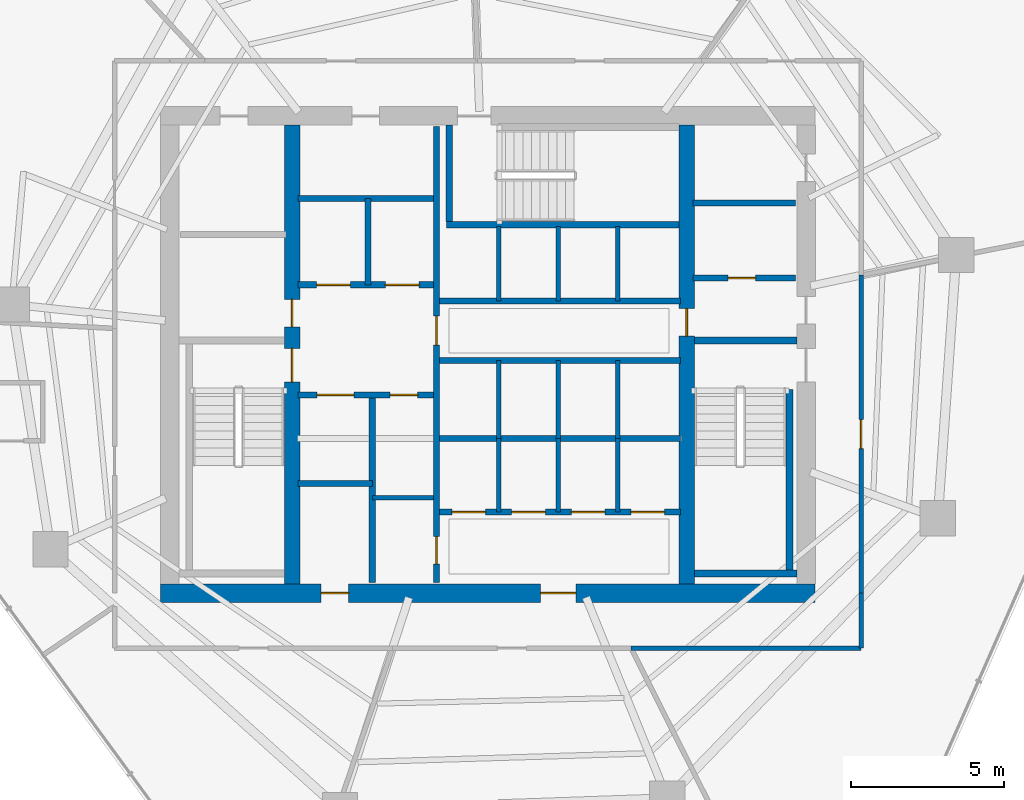
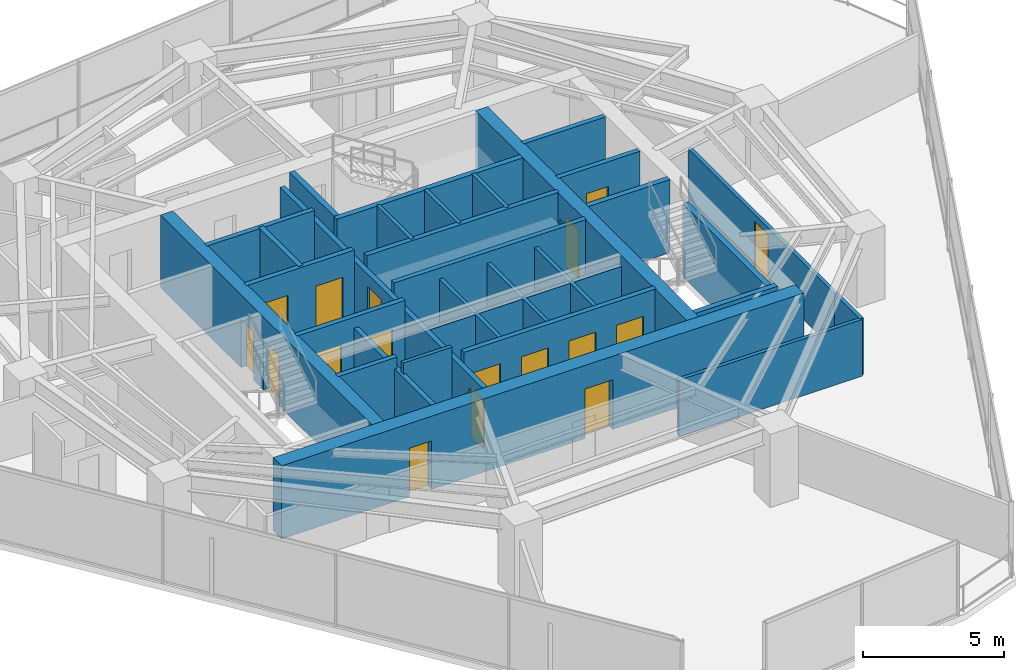
# One storey, part 25 of 30: 34 walls, 17 doors, 17 openings.
"""IFC4 building model written with IfcOpenShell, lengths in metres."""

from ifc_helpers import new_model, si_unit, direction, frame, frame_2d, origin, place, context, subcontext, project, spatial, rectangle, extrude, material, layer, layer_set, type_object, element, fill, save


model = new_model("IFC4")

# Units and contexts
model_context = context("Model", 3, precision=1e-05, world=origin(), true_north=direction((0.0, 1.0)))
body_context = subcontext(model_context, "Body", "Model", "MODEL_VIEW")
ifc_project = project(units=[si_unit("LENGTHUNIT", "METRE"), si_unit("AREAUNIT", "SQUARE_METRE"), si_unit("VOLUMEUNIT", "CUBIC_METRE"), si_unit("PLANEANGLEUNIT", "RADIAN"), si_unit("MASSUNIT", "GRAM", prefix="KILO")], contexts=[model_context])

# Site, building, storey
site_placement = place(None, origin())
site = spatial("IfcSite", under=ifc_project, at=site_placement, CompositionType="ELEMENT")
building_placement = place(site_placement, origin())
building = spatial("IfcBuilding", under=site, at=building_placement, Name="Qarnah Convention Tower", CompositionType="ELEMENT")
storey_placement = place(building_placement, frame((0.0, 0.0, 90.14990234375)))
storey = spatial("IfcBuildingStorey", under=building, at=storey_placement, Name="L23", CompositionType="ELEMENT", Elevation=90.14990234375)

# Wall, openings, doors
ifc_material_1 = material(Name="Concrete C60/75", Category="concrete")
ifc_layer_1 = layer(ifc_material_1, 0.60009765625)
ifc_layer_set_1 = layer_set([ifc_layer_1], Name="Concrete C60/75")
wall_type_1 = type_object("IfcWallType", Name="WL-CORE-600", PredefinedType="SHEAR", material=ifc_layer_set_1)
wall_1_placement = place(storey_placement, frame((26.5, 18.60009765625, 0.0), z_axis=(0.0, 0.0, 1.0), x_axis=(1.0, 0.0, 0.0)))
wall_1 = element("IfcWall", 1, at=wall_1_placement, inside=storey, type_object=wall_type_1, Name="L23 core south shear wall", PredefinedType="SHEAR", context=body_context, shape_type="SweptSolid", body=[
    extrude(rectangle(XDim=21.39990234375, YDim=0.60009765625, at=frame_2d((10.699951171875, 0.0))), origin(), (0.0, 0.0, 1.0), 3.170166015625),
])
opening_1_placement = place(wall_1_placement, frame((12.425048828125, 0.0, 0.0)))
opening_1 = element("IfcOpeningElement", 2, at=opening_1_placement, cuts=wall_1, Name="Opening D-2307", PredefinedType="OPENING", context=body_context, shape_type="SweptSolid", body=[
    extrude(rectangle(XDim=1.14990234375, YDim=2.14990234375, at=frame_2d((0.574951171875, 1.074951171875))), frame((0.0, 0.31005859375, 0.0), z_axis=(0.0, -1.0, 0.0), x_axis=(1.0, 0.0, 0.0)), (0.0, 0.0, 1.0), 0.6201171875),
])
opening_2_placement = place(wall_1_placement, frame((5.25, 0.0, 0.0)))
opening_2 = element("IfcOpeningElement", 3, at=opening_2_placement, cuts=wall_1, Name="Opening D-2313", PredefinedType="OPENING", context=body_context, shape_type="SweptSolid", body=[
    extrude(rectangle(XDim=0.89990234375, YDim=2.10009765625, at=frame_2d((0.449951171875, 1.050048828125))), frame((0.0, 0.31005859375, 0.0), z_axis=(0.0, -1.0, 0.0), x_axis=(1.0, 0.0, 0.0)), (0.0, 0.0, 1.0), 0.6201171875),
])
ifc_material_2 = material(Name="Structural steel S355JR", Category="steel")
door_type_1 = type_object("IfcDoorType", Name="DT-LOBBY-1150", OperationType="NOTDEFINED", PredefinedType="DOOR", material=ifc_material_2)
door_1_placement = place(opening_1_placement, origin())
door_1 = element("IfcDoor", 4, at=door_1_placement, inside=storey, type_object=door_type_1, Name="Door D-2307", OperationType="SINGLE_SWING_LEFT", OverallHeight=2.14990234375, OverallWidth=1.14990234375, PredefinedType="DOOR", context=body_context, shape_type="SweptSolid", body=[
    extrude(rectangle(XDim=1.14990234375, YDim=2.14990234375, at=frame_2d((0.574951171875, 1.074951171875))), frame((0.0, 0.02490234375, 0.0), z_axis=(0.0, -1.0, 0.0), x_axis=(1.0, 0.0, 0.0)), (0.0, 0.0, 1.0), 0.050048828125),
])
fill(opening_1, door_1)
door_type_2 = type_object("IfcDoorType", Name="DT-RISER-900", OperationType="NOTDEFINED", PredefinedType="DOOR", material=ifc_material_2)
door_2_placement = place(opening_2_placement, origin())
door_2 = element("IfcDoor", 5, at=door_2_placement, inside=storey, type_object=door_type_2, Name="Door D-2313", OperationType="SINGLE_SWING_LEFT", OverallHeight=2.10009765625, OverallWidth=0.89990234375, PredefinedType="DOOR", context=body_context, shape_type="SweptSolid", body=[
    extrude(rectangle(XDim=0.89990234375, YDim=2.10009765625, at=frame_2d((0.449951171875, 1.050048828125))), frame((0.0, 0.02490234375, 0.0), z_axis=(0.0, -1.0, 0.0), x_axis=(1.0, 0.0, 0.0)), (0.0, 0.0, 1.0), 0.050048828125),
])
fill(opening_2, door_2)

ifc_layer_2 = layer(ifc_material_1, 0.5)
ifc_layer_set_2 = layer_set([ifc_layer_2], Name="Concrete C60/75")
wall_type_2 = type_object("IfcWallType", Name="WL-CORE-INT-400", PredefinedType="SHEAR", material=ifc_layer_set_2)
wall_2_placement = place(storey_placement, frame((30.800048828125, 18.89990234375, 0.0), z_axis=(0.0, 0.0, 1.0), x_axis=(0.0, 1.0, 0.0)))
wall_2 = element("IfcWall", 6, at=wall_2_placement, inside=storey, type_object=wall_type_2, Name="L23 core west spine shear wall", PredefinedType="SHEAR", context=body_context, shape_type="SweptSolid", body=[
    extrude(rectangle(XDim=15.0, YDim=0.5, at=frame_2d((7.5, 0.0))), origin(), (0.0, 0.0, 1.0), 3.170166015625),
])
opening_3_placement = place(wall_2_placement, frame((6.60009765625, 0.0, 0.0)))
opening_3 = element("IfcOpeningElement", 7, at=opening_3_placement, cuts=wall_2, Name="Opening D-2301", PredefinedType="OPENING", context=body_context, shape_type="SweptSolid", body=[
    extrude(rectangle(XDim=1.10009765625, YDim=2.14990234375, at=frame_2d((0.550048828125, 1.074951171875))), frame((0.0, 0.260009765625, 0.0), z_axis=(0.0, -1.0, 0.0), x_axis=(1.0, 0.0, 0.0)), (0.0, 0.0, 1.0), 0.52001953125),
])
opening_4_placement = place(wall_2_placement, frame((8.39990234375, 0.0, 0.0)))
opening_4 = element("IfcOpeningElement", 8, at=opening_4_placement, cuts=wall_2, Name="Opening D-2308", PredefinedType="OPENING", context=body_context, shape_type="SweptSolid", body=[
    extrude(rectangle(XDim=0.89990234375, YDim=2.10009765625, at=frame_2d((0.449951171875, 1.050048828125))), frame((0.0, 0.260009765625, 0.0), z_axis=(0.0, -1.0, 0.0), x_axis=(1.0, 0.0, 0.0)), (0.0, 0.0, 1.0), 0.52001953125),
])
door_3_placement = place(opening_4_placement, origin())
door_3 = element("IfcDoor", 9, at=door_3_placement, inside=storey, type_object=door_type_2, Name="Door D-2308", OperationType="SINGLE_SWING_RIGHT", OverallHeight=2.10009765625, OverallWidth=0.89990234375, PredefinedType="DOOR", context=body_context, shape_type="SweptSolid", body=[
    extrude(rectangle(XDim=0.89990234375, YDim=2.10009765625, at=frame_2d((0.449951171875, 1.050048828125))), frame((0.0, 0.02490234375, 0.0), z_axis=(0.0, -1.0, 0.0), x_axis=(1.0, 0.0, 0.0)), (0.0, 0.0, 1.0), 0.050048828125),
])
fill(opening_4, door_3)
door_type_3 = type_object("IfcDoorType", Name="DT-STAIR-1100", OperationType="NOTDEFINED", PredefinedType="DOOR", material=ifc_material_2)
door_4_placement = place(opening_3_placement, origin())
door_4 = element("IfcDoor", 10, at=door_4_placement, inside=storey, type_object=door_type_3, Name="Door D-2301", OperationType="SINGLE_SWING_LEFT", OverallHeight=2.14990234375, OverallWidth=1.10009765625, PredefinedType="DOOR", context=body_context, shape_type="SweptSolid", body=[
    extrude(rectangle(XDim=1.10009765625, YDim=2.14990234375, at=frame_2d((0.550048828125, 1.074951171875))), frame((0.0, 0.02490234375, 0.0), z_axis=(0.0, -1.0, 0.0), x_axis=(1.0, 0.0, 0.0)), (0.0, 0.0, 1.0), 0.050048828125),
])
fill(opening_3, door_4)

# Wall, opening, door
wall_3_placement = place(storey_placement, frame((43.699951171875, 18.89990234375, 0.0), z_axis=(0.0, 0.0, 1.0), x_axis=(0.0, 1.0, 0.0)))
wall_3 = element("IfcWall", 11, at=wall_3_placement, inside=storey, type_object=wall_type_2, Name="L23 core east spine shear wall", PredefinedType="SHEAR", context=body_context, shape_type="SweptSolid", body=[
    extrude(rectangle(XDim=15.0, YDim=0.5, at=frame_2d((7.5, 0.0))), origin(), (0.0, 0.0, 1.0), 3.170166015625),
])
opening_5_placement = place(wall_3_placement, frame((8.10009765625, 0.0, 0.0)))
opening_5 = element("IfcOpeningElement", 12, at=opening_5_placement, cuts=wall_3, Name="Opening D-2305", PredefinedType="OPENING", context=body_context, shape_type="SweptSolid", body=[
    extrude(rectangle(XDim=0.89990234375, YDim=2.10009765625, at=frame_2d((0.449951171875, 1.050048828125))), frame((0.0, 0.260009765625, 0.0), z_axis=(0.0, -1.0, 0.0), x_axis=(1.0, 0.0, 0.0)), (0.0, 0.0, 1.0), 0.52001953125),
])
door_5_placement = place(opening_5_placement, origin())
door_5 = element("IfcDoor", 13, at=door_5_placement, inside=storey, type_object=door_type_2, Name="Door D-2305", OperationType="SINGLE_SWING_LEFT", OverallHeight=2.10009765625, OverallWidth=0.89990234375, PredefinedType="DOOR", context=body_context, shape_type="SweptSolid", body=[
    extrude(rectangle(XDim=0.89990234375, YDim=2.10009765625, at=frame_2d((0.449951171875, 1.050048828125))), frame((0.0, 0.02490234375, 0.0), z_axis=(0.0, -1.0, 0.0), x_axis=(1.0, 0.0, 0.0)), (0.0, 0.0, 1.0), 0.050048828125),
])
fill(opening_5, door_5)

ifc_material_3 = material(Name="Concrete C45/55", Category="concrete")
ifc_layer_3 = layer(ifc_material_3, 0.199951171875)
ifc_layer_set_3 = layer_set([ifc_layer_3], Name="Concrete C45/55")
wall_type_3 = type_object("IfcWallType", Name="WL-CORE-PART-200", PredefinedType="SOLIDWALL", material=ifc_layer_set_3)
wall_4_placement = place(storey_placement, frame((43.89990234375, 28.89990234375, 0.0), z_axis=(0.0, 0.0, 1.0), x_axis=(1.0, 0.0, 0.0)))
wall_4 = element("IfcWall", 14, at=wall_4_placement, inside=storey, type_object=wall_type_3, Name="L23 interior wall IW-L23-EVSTN", PredefinedType="SOLIDWALL", context=body_context, shape_type="SweptSolid", body=[
    extrude(rectangle(XDim=3.35009765625, YDim=0.199951171875, at=frame_2d((1.675048828125, 0.0))), origin(), (0.0, 0.0, 1.0), 3.170166015625),
])
opening_6_placement = place(wall_4_placement, frame((1.14990234375, 0.0, 0.0)))
opening_6 = element("IfcOpeningElement", 15, at=opening_6_placement, cuts=wall_4, Name="Opening D-2311", PredefinedType="OPENING", context=body_context, shape_type="SweptSolid", body=[
    extrude(rectangle(XDim=0.89990234375, YDim=2.10009765625, at=frame_2d((0.449951171875, 1.050048828125))), frame((0.0, 0.10986328125, 0.0), z_axis=(0.0, -1.0, 0.0), x_axis=(1.0, 0.0, 0.0)), (0.0, 0.0, 1.0), 0.219970703125),
])
door_6_placement = place(opening_6_placement, origin())
door_6 = element("IfcDoor", 16, at=door_6_placement, inside=storey, type_object=door_type_2, Name="Door D-2311", OperationType="SINGLE_SWING_LEFT", OverallHeight=2.10009765625, OverallWidth=0.89990234375, PredefinedType="DOOR", context=body_context, shape_type="SweptSolid", body=[
    extrude(rectangle(XDim=0.89990234375, YDim=2.10009765625, at=frame_2d((0.449951171875, 1.050048828125))), frame((0.0, 0.02490234375, 0.0), z_axis=(0.0, -1.0, 0.0), x_axis=(1.0, 0.0, 0.0)), (0.0, 0.0, 1.0), 0.050048828125),
])
fill(opening_6, door_6)

# Wall
wall_5_placement = place(storey_placement, frame((43.89990234375, 31.35009765625, 0.0), z_axis=(0.0, 0.0, 1.0), x_axis=(1.0, 0.0, 0.0)))
element("IfcWall", 17, at=wall_5_placement, inside=storey, type_object=wall_type_3, Name="L23 interior wall IW-L23-WTRN", PredefinedType="SOLIDWALL", context=body_context, shape_type="SweptSolid", body=[
    extrude(rectangle(XDim=3.35009765625, YDim=0.199951171875, at=frame_2d((1.675048828125, 0.0))), origin(), (0.0, 0.0, 1.0), 3.170166015625),
])

# Wall, openings, doors
wall_6_placement = place(storey_placement, frame((35.52001953125, 18.949951171875, 0.0), z_axis=(0.0, 0.0, 1.0), x_axis=(0.0, 1.0, 0.0)))
wall_6 = element("IfcWall", 18, at=wall_6_placement, inside=storey, type_object=wall_type_3, Name="L23 interior wall IW-L23-CSP", PredefinedType="SOLIDWALL", context=body_context, shape_type="SweptSolid", body=[
    extrude(rectangle(XDim=14.900146484375, YDim=0.199951171875, at=frame_2d((7.4501953125, 0.0))), origin(), (0.0, 0.0, 1.0), 2.691162109375),
])
opening_7_placement = place(wall_6_placement, frame((7.7548828125, 0.0, 0.0)))
opening_7 = element("IfcOpeningElement", 19, at=opening_7_placement, cuts=wall_6, Name="Opening D-2304", PredefinedType="OPENING", context=body_context, shape_type="SweptSolid", body=[
    extrude(rectangle(XDim=0.949951171875, YDim=2.14990234375, at=frame_2d((0.47509765625, 1.074951171875))), frame((0.0, 0.10986328125, 0.0), z_axis=(0.0, -1.0, 0.0), x_axis=(1.0, 0.0, 0.0)), (0.0, 0.0, 1.0), 0.219970703125),
])
opening_8_placement = place(wall_6_placement, frame((0.60009765625, 0.0, 0.0)))
opening_8 = element("IfcOpeningElement", 20, at=opening_8_placement, cuts=wall_6, Name="Opening D-2314", PredefinedType="OPENING", context=body_context, shape_type="SweptSolid", body=[
    extrude(rectangle(XDim=0.89990234375, YDim=2.10009765625, at=frame_2d((0.449951171875, 1.050048828125))), frame((0.0, 0.10986328125, 0.0), z_axis=(0.0, -1.0, 0.0), x_axis=(1.0, 0.0, 0.0)), (0.0, 0.0, 1.0), 0.219970703125),
])
ifc_material_4 = material(Name="Oak timber veneer", Category="wood")
door_type_4 = type_object("IfcDoorType", Name="DT-HOTEL-950", OperationType="NOTDEFINED", PredefinedType="DOOR", material=ifc_material_4)
door_7_placement = place(opening_7_placement, origin())
door_7 = element("IfcDoor", 21, at=door_7_placement, inside=storey, type_object=door_type_4, Name="Door D-2304", OperationType="SINGLE_SWING_RIGHT", OverallHeight=2.14990234375, OverallWidth=0.949951171875, PredefinedType="DOOR", context=body_context, shape_type="SweptSolid", body=[
    extrude(rectangle(XDim=0.949951171875, YDim=2.14990234375, at=frame_2d((0.47509765625, 1.074951171875))), frame((0.0, 0.02490234375, 0.0), z_axis=(0.0, -1.0, 0.0), x_axis=(1.0, 0.0, 0.0)), (0.0, 0.0, 1.0), 0.050048828125),
])
fill(opening_7, door_7)
door_8_placement = place(opening_8_placement, origin())
door_8 = element("IfcDoor", 22, at=door_8_placement, inside=storey, type_object=door_type_2, Name="Door D-2314", OperationType="SINGLE_SWING_RIGHT", OverallHeight=2.10009765625, OverallWidth=0.89990234375, PredefinedType="DOOR", context=body_context, shape_type="SweptSolid", body=[
    extrude(rectangle(XDim=0.89990234375, YDim=2.10009765625, at=frame_2d((0.449951171875, 1.050048828125))), frame((0.0, 0.02490234375, 0.0), z_axis=(0.0, -1.0, 0.0), x_axis=(1.0, 0.0, 0.0)), (0.0, 0.0, 1.0), 0.050048828125),
])
fill(opening_8, door_8)

wall_7_placement = place(storey_placement, frame((31.0, 28.679931640625, 0.0), z_axis=(0.0, 0.0, 1.0), x_axis=(1.0, 0.0, 0.0)))
wall_7 = element("IfcWall", 23, at=wall_7_placement, inside=storey, type_object=wall_type_3, Name="L23 interior wall IW-L23-FFLS", PredefinedType="SOLIDWALL", context=body_context, shape_type="SweptSolid", body=[
    extrude(rectangle(XDim=4.419921875, YDim=0.199951171875, at=frame_2d((2.2099609375, 0.0))), origin(), (0.0, 0.0, 1.0), 3.170166015625),
])
opening_9_placement = place(wall_7_placement, frame((0.60009765625, 0.0, 0.0)))
opening_9 = element("IfcOpeningElement", 24, at=opening_9_placement, cuts=wall_7, Name="Opening LD-2301", PredefinedType="OPENING", context=body_context, shape_type="SweptSolid", body=[
    extrude(rectangle(XDim=1.10009765625, YDim=2.14990234375, at=frame_2d((0.550048828125, 1.074951171875))), frame((0.0, 0.10986328125, 0.0), z_axis=(0.0, -1.0, 0.0), x_axis=(1.0, 0.0, 0.0)), (0.0, 0.0, 1.0), 0.219970703125),
])
opening_10_placement = place(wall_7_placement, frame((2.85009765625, 0.0, 0.0)))
opening_10 = element("IfcOpeningElement", 25, at=opening_10_placement, cuts=wall_7, Name="Opening LD-2302", PredefinedType="OPENING", context=body_context, shape_type="SweptSolid", body=[
    extrude(rectangle(XDim=1.10009765625, YDim=2.14990234375, at=frame_2d((0.550048828125, 1.074951171875))), frame((0.0, 0.10986328125, 0.0), z_axis=(0.0, -1.0, 0.0), x_axis=(1.0, 0.0, 0.0)), (0.0, 0.0, 1.0), 0.219970703125),
])
door_type_5 = type_object("IfcDoorType", Name="DT-LIFT-1100", OperationType="SLIDING_TO_LEFT", PredefinedType="DOOR", material=ifc_material_2)
door_9_placement = place(opening_9_placement, origin())
door_9 = element("IfcDoor", 26, at=door_9_placement, inside=storey, type_object=door_type_5, Name="Door LD-2301", OperationType="SLIDING_TO_LEFT", OverallHeight=2.14990234375, OverallWidth=1.10009765625, PredefinedType="DOOR", context=body_context, shape_type="SweptSolid", body=[
    extrude(rectangle(XDim=1.10009765625, YDim=2.14990234375, at=frame_2d((0.550048828125, 1.074951171875))), frame((0.0, 0.02490234375, 0.0), z_axis=(0.0, -1.0, 0.0), x_axis=(1.0, 0.0, 0.0)), (0.0, 0.0, 1.0), 0.050048828125),
])
fill(opening_9, door_9)
door_10_placement = place(opening_10_placement, origin())
door_10 = element("IfcDoor", 27, at=door_10_placement, inside=storey, type_object=door_type_5, Name="Door LD-2302", OperationType="SLIDING_TO_LEFT", OverallHeight=2.14990234375, OverallWidth=1.10009765625, PredefinedType="DOOR", context=body_context, shape_type="SweptSolid", body=[
    extrude(rectangle(XDim=1.10009765625, YDim=2.14990234375, at=frame_2d((0.550048828125, 1.074951171875))), frame((0.0, 0.02490234375, 0.0), z_axis=(0.0, -1.0, 0.0), x_axis=(1.0, 0.0, 0.0)), (0.0, 0.0, 1.0), 0.050048828125),
])
fill(opening_10, door_10)

# Walls
wall_8_placement = place(storey_placement, frame((31.0, 31.5, 0.0), z_axis=(0.0, 0.0, 1.0), x_axis=(1.0, 0.0, 0.0)))
element("IfcWall", 28, at=wall_8_placement, inside=storey, type_object=wall_type_3, Name="L23 interior wall IW-L23-FFLN", PredefinedType="SOLIDWALL", context=body_context, shape_type="SweptSolid", body=[
    extrude(rectangle(XDim=4.419921875, YDim=0.199951171875, at=frame_2d((2.2099609375, 0.0))), origin(), (0.0, 0.0, 1.0), 3.170166015625),
])
wall_9_placement = place(storey_placement, frame((33.280029296875, 28.679931640625, 0.0), z_axis=(0.0, 0.0, 1.0), x_axis=(0.0, 1.0, 0.0)))
element("IfcWall", 29, at=wall_9_placement, inside=storey, type_object=wall_type_3, Name="L23 interior wall IW-L23-FFLM", PredefinedType="SOLIDWALL", context=body_context, shape_type="SweptSolid", body=[
    extrude(rectangle(XDim=2.820068359375, YDim=0.199951171875, at=frame_2d((1.41015625, 0.0))), origin(), (0.0, 0.0, 1.0), 3.170166015625),
])

# Wall, openings, doors
wall_10_placement = place(storey_placement, frame((31.0, 25.080078125, 0.0), z_axis=(0.0, 0.0, 1.0), x_axis=(1.0, 0.0, 0.0)))
wall_10 = element("IfcWall", 30, at=wall_10_placement, inside=storey, type_object=wall_type_3, Name="L23 interior wall IW-L23-FFLBS", PredefinedType="SOLIDWALL", context=body_context, shape_type="SweptSolid", body=[
    extrude(rectangle(XDim=4.419921875, YDim=0.199951171875, at=frame_2d((2.2099609375, 0.0))), origin(), (0.0, 0.0, 1.0), 3.170166015625),
])
opening_11_placement = place(wall_10_placement, frame((3.0, 0.0, 0.0)))
opening_11 = element("IfcOpeningElement", 31, at=opening_11_placement, cuts=wall_10, Name="Opening D-2315", PredefinedType="OPENING", context=body_context, shape_type="SweptSolid", body=[
    extrude(rectangle(XDim=0.89990234375, YDim=2.10009765625, at=frame_2d((0.449951171875, 1.050048828125))), frame((0.0, 0.10986328125, 0.0), z_axis=(0.0, -1.0, 0.0), x_axis=(1.0, 0.0, 0.0)), (0.0, 0.0, 1.0), 0.219970703125),
])
opening_12_placement = place(wall_10_placement, frame((0.6201171875, 0.0, 0.0)))
opening_12 = element("IfcOpeningElement", 32, at=opening_12_placement, cuts=wall_10, Name="Opening LD-2303", PredefinedType="OPENING", context=body_context, shape_type="SweptSolid", body=[
    extrude(rectangle(XDim=1.199951171875, YDim=2.14990234375, at=frame_2d((0.60009765625, 1.074951171875))), frame((0.0, 0.10986328125, 0.0), z_axis=(0.0, -1.0, 0.0), x_axis=(1.0, 0.0, 0.0)), (0.0, 0.0, 1.0), 0.219970703125),
])
door_type_6 = type_object("IfcDoorType", Name="DT-LIFT-1200", OperationType="SLIDING_TO_LEFT", PredefinedType="DOOR", material=ifc_material_2)
door_11_placement = place(opening_12_placement, origin())
door_11 = element("IfcDoor", 33, at=door_11_placement, inside=storey, type_object=door_type_6, Name="Door LD-2303", OperationType="SLIDING_TO_LEFT", OverallHeight=2.14990234375, OverallWidth=1.199951171875, PredefinedType="DOOR", context=body_context, shape_type="SweptSolid", body=[
    extrude(rectangle(XDim=1.199951171875, YDim=2.14990234375, at=frame_2d((0.60009765625, 1.074951171875))), frame((0.0, 0.02490234375, 0.0), z_axis=(0.0, -1.0, 0.0), x_axis=(1.0, 0.0, 0.0)), (0.0, 0.0, 1.0), 0.050048828125),
])
fill(opening_12, door_11)
door_12_placement = place(opening_11_placement, origin())
door_12 = element("IfcDoor", 34, at=door_12_placement, inside=storey, type_object=door_type_2, Name="Door D-2315", OperationType="SINGLE_SWING_LEFT", OverallHeight=2.10009765625, OverallWidth=0.89990234375, PredefinedType="DOOR", context=body_context, shape_type="SweptSolid", body=[
    extrude(rectangle(XDim=0.89990234375, YDim=2.10009765625, at=frame_2d((0.449951171875, 1.050048828125))), frame((0.0, 0.02490234375, 0.0), z_axis=(0.0, -1.0, 0.0), x_axis=(1.0, 0.0, 0.0)), (0.0, 0.0, 1.0), 0.050048828125),
])
fill(opening_11, door_12)

# Walls
wall_11_placement = place(storey_placement, frame((33.419921875, 18.949951171875, 0.0), z_axis=(0.0, 0.0, 1.0), x_axis=(0.0, 1.0, 0.0)))
element("IfcWall", 35, at=wall_11_placement, inside=storey, type_object=wall_type_3, Name="L23 interior wall IW-L23-SVLE", PredefinedType="SOLIDWALL", context=body_context, shape_type="SweptSolid", body=[
    extrude(rectangle(XDim=6.130126953125, YDim=0.199951171875, at=frame_2d((3.06494140625, 0.0))), origin(), (0.0, 0.0, 1.0), 2.691162109375),
])
wall_12_placement = place(storey_placement, frame((31.0, 22.179931640625, 0.0), z_axis=(0.0, 0.0, 1.0), x_axis=(1.0, 0.0, 0.0)))
element("IfcWall", 36, at=wall_12_placement, inside=storey, type_object=wall_type_3, Name="L23 interior wall IW-L23-SVLS", PredefinedType="SOLIDWALL", context=body_context, shape_type="SweptSolid", body=[
    extrude(rectangle(XDim=2.419921875, YDim=0.199951171875, at=frame_2d((1.2099609375, 0.0))), origin(), (0.0, 0.0, 1.0), 3.170166015625),
])
for number, where, z_axis, x_axis, name in (
    (37, (35.6201171875, 28.14990234375, 0.0), (0.0, 0.0, 1.0), (1.0, 0.0, 0.0), "L23 interior wall IW-L23-PHS"),
    (38, (35.6201171875, 26.199951171875, 0.0), (0.0, 0.0, 1.0), (1.0, 0.0, 0.0), "L23 interior wall IW-L23-PMN"),
):
    element("IfcWall", number, at=place(storey_placement, frame(where, z_axis=z_axis, x_axis=x_axis)), inside=storey, type_object=wall_type_3, Name=name, PredefinedType="SOLIDWALL", context=body_context, shape_type="SweptSolid", body=[
        extrude(rectangle(XDim=7.8798828125, YDim=0.199951171875, at=frame_2d((3.93994140625, 0.0))), origin(), (0.0, 0.0, 1.0), 3.170166015625),
    ])
wall_13_placement = place(storey_placement, frame((35.6201171875, 23.64990234375, 0.0), z_axis=(0.0, 0.0, 1.0), x_axis=(1.0, 0.0, 0.0)))
element("IfcWall", 39, at=wall_13_placement, inside=storey, type_object=wall_type_3, Name="L23 interior wall IW-L23-PMPL", PredefinedType="SOLIDWALL", context=body_context, shape_type="SweptSolid", body=[
    extrude(rectangle(XDim=7.8798828125, YDim=0.199951171875, at=frame_2d((3.93994140625, 0.0))), origin(), (0.0, 0.0, 1.0), 2.691162109375),
])

# Wall, openings, doors
wall_14_placement = place(storey_placement, frame((35.6201171875, 21.25, 0.0), z_axis=(0.0, 0.0, 1.0), x_axis=(1.0, 0.0, 0.0)))
wall_14 = element("IfcWall", 40, at=wall_14_placement, inside=storey, type_object=wall_type_3, Name="L23 interior wall IW-L23-PLS", PredefinedType="SOLIDWALL", context=body_context, shape_type="SweptSolid", body=[
    extrude(rectangle(XDim=7.8798828125, YDim=0.199951171875, at=frame_2d((3.93994140625, 0.0))), origin(), (0.0, 0.0, 1.0), 3.170166015625),
])
opening_13_placement = place(wall_14_placement, frame((0.405029296875, 0.0, 0.0)))
opening_13 = element("IfcOpeningElement", 41, at=opening_13_placement, cuts=wall_14, Name="Opening LD-2304", PredefinedType="OPENING", context=body_context, shape_type="SweptSolid", body=[
    extrude(rectangle(XDim=1.10009765625, YDim=2.14990234375, at=frame_2d((0.550048828125, 1.074951171875))), frame((0.0, 0.10986328125, 0.0), z_axis=(0.0, -1.0, 0.0), x_axis=(1.0, 0.0, 0.0)), (0.0, 0.0, 1.0), 0.219970703125),
])
opening_14_placement = place(wall_14_placement, frame((2.35498046875, 0.0, 0.0)))
opening_14 = element("IfcOpeningElement", 42, at=opening_14_placement, cuts=wall_14, Name="Opening LD-2305", PredefinedType="OPENING", context=body_context, shape_type="SweptSolid", body=[
    extrude(rectangle(XDim=1.10009765625, YDim=2.14990234375, at=frame_2d((0.550048828125, 1.074951171875))), frame((0.0, 0.10986328125, 0.0), z_axis=(0.0, -1.0, 0.0), x_axis=(1.0, 0.0, 0.0)), (0.0, 0.0, 1.0), 0.219970703125),
])
opening_15_placement = place(wall_14_placement, frame((4.304931640625, 0.0, 0.0)))
opening_15 = element("IfcOpeningElement", 43, at=opening_15_placement, cuts=wall_14, Name="Opening LD-2306", PredefinedType="OPENING", context=body_context, shape_type="SweptSolid", body=[
    extrude(rectangle(XDim=1.10009765625, YDim=2.14990234375, at=frame_2d((0.550048828125, 1.074951171875))), frame((0.0, 0.10986328125, 0.0), z_axis=(0.0, -1.0, 0.0), x_axis=(1.0, 0.0, 0.0)), (0.0, 0.0, 1.0), 0.219970703125),
])
opening_16_placement = place(wall_14_placement, frame((6.2548828125, 0.0, 0.0)))
opening_16 = element("IfcOpeningElement", 44, at=opening_16_placement, cuts=wall_14, Name="Opening LD-2307", PredefinedType="OPENING", context=body_context, shape_type="SweptSolid", body=[
    extrude(rectangle(XDim=1.10009765625, YDim=2.14990234375, at=frame_2d((0.550048828125, 1.074951171875))), frame((0.0, 0.10986328125, 0.0), z_axis=(0.0, -1.0, 0.0), x_axis=(1.0, 0.0, 0.0)), (0.0, 0.0, 1.0), 0.219970703125),
])
door_13_placement = place(opening_13_placement, origin())
door_13 = element("IfcDoor", 45, at=door_13_placement, inside=storey, type_object=door_type_5, Name="Door LD-2304", OperationType="SLIDING_TO_LEFT", OverallHeight=2.14990234375, OverallWidth=1.10009765625, PredefinedType="DOOR", context=body_context, shape_type="SweptSolid", body=[
    extrude(rectangle(XDim=1.10009765625, YDim=2.14990234375, at=frame_2d((0.550048828125, 1.074951171875))), frame((0.0, 0.02490234375, 0.0), z_axis=(0.0, -1.0, 0.0), x_axis=(1.0, 0.0, 0.0)), (0.0, 0.0, 1.0), 0.050048828125),
])
fill(opening_13, door_13)
door_14_placement = place(opening_14_placement, origin())
door_14 = element("IfcDoor", 46, at=door_14_placement, inside=storey, type_object=door_type_5, Name="Door LD-2305", OperationType="SLIDING_TO_LEFT", OverallHeight=2.14990234375, OverallWidth=1.10009765625, PredefinedType="DOOR", context=body_context, shape_type="SweptSolid", body=[
    extrude(rectangle(XDim=1.10009765625, YDim=2.14990234375, at=frame_2d((0.550048828125, 1.074951171875))), frame((0.0, 0.02490234375, 0.0), z_axis=(0.0, -1.0, 0.0), x_axis=(1.0, 0.0, 0.0)), (0.0, 0.0, 1.0), 0.050048828125),
])
fill(opening_14, door_14)
door_15_placement = place(opening_15_placement, origin())
door_15 = element("IfcDoor", 47, at=door_15_placement, inside=storey, type_object=door_type_5, Name="Door LD-2306", OperationType="SLIDING_TO_LEFT", OverallHeight=2.14990234375, OverallWidth=1.10009765625, PredefinedType="DOOR", context=body_context, shape_type="SweptSolid", body=[
    extrude(rectangle(XDim=1.10009765625, YDim=2.14990234375, at=frame_2d((0.550048828125, 1.074951171875))), frame((0.0, 0.02490234375, 0.0), z_axis=(0.0, -1.0, 0.0), x_axis=(1.0, 0.0, 0.0)), (0.0, 0.0, 1.0), 0.050048828125),
])
fill(opening_15, door_15)
door_16_placement = place(opening_16_placement, origin())
door_16 = element("IfcDoor", 48, at=door_16_placement, inside=storey, type_object=door_type_5, Name="Door LD-2307", OperationType="SLIDING_TO_LEFT", OverallHeight=2.14990234375, OverallWidth=1.10009765625, PredefinedType="DOOR", context=body_context, shape_type="SweptSolid", body=[
    extrude(rectangle(XDim=1.10009765625, YDim=2.14990234375, at=frame_2d((0.550048828125, 1.074951171875))), frame((0.0, 0.02490234375, 0.0), z_axis=(0.0, -1.0, 0.0), x_axis=(1.0, 0.0, 0.0)), (0.0, 0.0, 1.0), 0.050048828125),
])
fill(opening_16, door_16)

# Walls
ifc_layer_4 = layer(ifc_material_1, 0.219970703125)
ifc_layer_set_4 = layer_set([ifc_layer_4], Name="Concrete C60/75")
wall_type_4 = type_object("IfcWallType", Name="WL-CORE-STAIR-220", PredefinedType="SHEAR", material=ifc_layer_set_4)
wall_15_placement = place(storey_placement, frame((43.949951171875, 26.860107421875, 0.0), z_axis=(0.0, 0.0, 1.0), x_axis=(1.0, 0.0, 0.0)))
element("IfcWall", 49, at=wall_15_placement, inside=storey, type_object=wall_type_4, Name="L23 stair shaft shear wall SW-L23-ST2N", PredefinedType="SHEAR", context=body_context, shape_type="SweptSolid", body=[
    extrude(rectangle(XDim=3.35009765625, YDim=0.219970703125, at=frame_2d((1.675048828125, 0.0))), origin(), (0.0, 0.0, 1.0), 3.170166015625),
])
wall_16_placement = place(storey_placement, frame((47.06005859375, 19.35009765625, 0.0), z_axis=(0.0, 0.0, 1.0), x_axis=(0.0, 1.0, 0.0)))
element("IfcWall", 50, at=wall_16_placement, inside=storey, type_object=wall_type_4, Name="L23 stair shaft shear wall SW-L23-ST2E", PredefinedType="SHEAR", context=body_context, shape_type="SweptSolid", body=[
    extrude(rectangle(XDim=5.89990234375, YDim=0.219970703125, at=frame_2d((2.949951171875, 0.0))), origin(), (0.0, 0.0, 1.0), 3.170166015625),
])
wall_17_placement = place(storey_placement, frame((43.949951171875, 19.239990234375, 0.0), z_axis=(0.0, 0.0, 1.0), x_axis=(1.0, 0.0, 0.0)))
element("IfcWall", 51, at=wall_17_placement, inside=storey, type_object=wall_type_4, Name="L23 stair shaft shear wall SW-L23-ST2S", PredefinedType="SHEAR", context=body_context, shape_type="SweptSolid", body=[
    extrude(rectangle(XDim=3.35009765625, YDim=0.219970703125, at=frame_2d((1.675048828125, 0.0))), origin(), (0.0, 0.0, 1.0), 3.170166015625),
])
wall_18_placement = place(storey_placement, frame((35.840087890625, 30.639892578125, 0.0), z_axis=(0.0, 0.0, 1.0), x_axis=(1.0, 0.0, 0.0)))
element("IfcWall", 52, at=wall_18_placement, inside=storey, type_object=wall_type_4, Name="L23 stair shaft shear wall SW-L23-ST3S", PredefinedType="SHEAR", context=body_context, shape_type="SweptSolid", body=[
    extrude(rectangle(XDim=7.60986328125, YDim=0.219970703125, at=frame_2d((3.804931640625, 0.0))), origin(), (0.0, 0.0, 1.0), 3.170166015625),
])
wall_19_placement = place(storey_placement, frame((35.93994140625, 30.75, 0.0), z_axis=(0.0, 0.0, 1.0), x_axis=(0.0, 1.0, 0.0)))
element("IfcWall", 53, at=wall_19_placement, inside=storey, type_object=wall_type_4, Name="L23 stair shaft shear wall SW-L23-ST3W", PredefinedType="SHEAR", context=body_context, shape_type="SweptSolid", body=[
    extrude(rectangle(XDim=3.14990234375, YDim=0.219970703125, at=frame_2d((1.574951171875, 0.0))), origin(), (0.0, 0.0, 1.0), 3.170166015625),
])
ifc_material_5 = material(Name="Gypsum partition board")
ifc_layer_5 = layer(ifc_material_5, 0.14990234375)
ifc_layer_set_5 = layer_set([ifc_layer_5], Name="Gypsum partition board")
wall_type_5 = type_object("IfcWallType", Name="WL-SUITE-150", PredefinedType="PARTITIONING", material=ifc_layer_set_5)
wall_20_placement = place(storey_placement, frame((33.419921875, 21.719970703125, 0.0), z_axis=(0.0, 0.0, 1.0), x_axis=(1.0, 0.0, 0.0)))
element("IfcWall", 54, at=wall_20_placement, inside=storey, type_object=wall_type_5, Name="L23 interior wall IW-L23-CSV1", PredefinedType="PARTITIONING", context=body_context, shape_type="SweptSolid", body=[
    extrude(rectangle(XDim=2.0, YDim=0.14990234375, at=frame_2d((1.0, 0.0))), origin(), (0.0, 0.0, 1.0), 3.170166015625),
])
for number, where, z_axis, x_axis, name in (
    (55, (37.550048828125, 28.14990234375, 0.0), (0.0, 0.0, 1.0), (0.0, 1.0, 0.0), "L23 interior wall IW-L23-PHD1"),
    (56, (39.5, 28.14990234375, 0.0), (0.0, 0.0, 1.0), (0.0, 1.0, 0.0), "L23 interior wall IW-L23-PHD2"),
    (57, (41.449951171875, 28.14990234375, 0.0), (0.0, 0.0, 1.0), (0.0, 1.0, 0.0), "L23 interior wall IW-L23-PHD3"),
):
    element("IfcWall", number, at=place(storey_placement, frame(where, z_axis=z_axis, x_axis=x_axis)), inside=storey, type_object=wall_type_5, Name=name, PredefinedType="PARTITIONING", context=body_context, shape_type="SweptSolid", body=[
        extrude(rectangle(XDim=2.43017578125, YDim=0.14990234375, at=frame_2d((1.215087890625, 0.0))), origin(), (0.0, 0.0, 1.0), 3.170166015625),
    ])
for number, where, z_axis, x_axis, name in (
    (58, (37.550048828125, 23.64990234375, 0.0), (0.0, 0.0, 1.0), (0.0, 1.0, 0.0), "L23 interior wall IW-L23-PMD1"),
    (59, (39.5, 23.64990234375, 0.0), (0.0, 0.0, 1.0), (0.0, 1.0, 0.0), "L23 interior wall IW-L23-PMD2"),
    (60, (41.449951171875, 23.64990234375, 0.0), (0.0, 0.0, 1.0), (0.0, 1.0, 0.0), "L23 interior wall IW-L23-PMD3"),
):
    element("IfcWall", number, at=place(storey_placement, frame(where, z_axis=z_axis, x_axis=x_axis)), inside=storey, type_object=wall_type_5, Name=name, PredefinedType="PARTITIONING", context=body_context, shape_type="SweptSolid", body=[
        extrude(rectangle(XDim=2.550048828125, YDim=0.14990234375, at=frame_2d((1.27490234375, 0.0))), origin(), (0.0, 0.0, 1.0), 2.691162109375),
    ])
for number, where, z_axis, x_axis, name in (
    (61, (37.550048828125, 21.25, 0.0), (0.0, 0.0, 1.0), (0.0, 1.0, 0.0), "L23 interior wall IW-L23-PLD1"),
    (62, (39.5, 21.25, 0.0), (0.0, 0.0, 1.0), (0.0, 1.0, 0.0), "L23 interior wall IW-L23-PLD2"),
    (63, (41.449951171875, 21.25, 0.0), (0.0, 0.0, 1.0), (0.0, 1.0, 0.0), "L23 interior wall IW-L23-PLD3"),
):
    element("IfcWall", number, at=place(storey_placement, frame(where, z_axis=z_axis, x_axis=x_axis)), inside=storey, type_object=wall_type_5, Name=name, PredefinedType="PARTITIONING", context=body_context, shape_type="SweptSolid", body=[
        extrude(rectangle(XDim=2.39990234375, YDim=0.14990234375, at=frame_2d((1.199951171875, 0.0))), origin(), (0.0, 0.0, 1.0), 2.691162109375),
    ])

# Wall, opening, door
wall_21_placement = place(storey_placement, frame((49.39990234375, 28.992919921875, 0.0), z_axis=(0.0, 0.0, 1.0), x_axis=(0.0, -1.0, 0.0)))
wall_21 = element("IfcWall", 64, at=wall_21_placement, inside=storey, type_object=wall_type_5, Name="L23 interior wall IW-L23-R-37", PredefinedType="PARTITIONING", context=body_context, shape_type="SweptSolid", body=[
    extrude(rectangle(XDim=10.392822265625, YDim=0.14990234375, at=frame_2d((5.1962890625, 0.0))), origin(), (0.0, 0.0, 1.0), 2.455078125),
])
opening_17_placement = place(wall_21_placement, frame((4.720947265625, 0.0, 0.0)))
opening_17 = element("IfcOpeningElement", 65, at=opening_17_placement, cuts=wall_21, Name="Opening D-2327", PredefinedType="OPENING", context=body_context, shape_type="SweptSolid", body=[
    extrude(rectangle(XDim=0.949951171875, YDim=2.14990234375, at=frame_2d((0.47509765625, 1.074951171875))), frame((0.0, 0.0849609375, 0.0), z_axis=(0.0, -1.0, 0.0), x_axis=(1.0, 0.0, 0.0)), (0.0, 0.0, 1.0), 0.169921875),
])
door_17_placement = place(opening_17_placement, origin())
door_17 = element("IfcDoor", 66, at=door_17_placement, inside=storey, type_object=door_type_4, Name="Door D-2327", OperationType="SINGLE_SWING_LEFT", OverallHeight=2.14990234375, OverallWidth=0.949951171875, PredefinedType="DOOR", context=body_context, shape_type="SweptSolid", body=[
    extrude(rectangle(XDim=0.949951171875, YDim=2.14990234375, at=frame_2d((0.47509765625, 1.074951171875))), frame((0.0, 0.02490234375, 0.0), z_axis=(0.0, -1.0, 0.0), x_axis=(1.0, 0.0, 0.0)), (0.0, 0.0, 1.0), 0.050048828125),
])
fill(opening_17, door_17)

# Walls
wall_22_placement = place(storey_placement, frame((49.39990234375, 18.60009765625, 0.0), z_axis=(0.0, 0.0, 1.0), x_axis=(0.0, -1.0, 0.0)))
element("IfcWall", 67, at=wall_22_placement, inside=storey, type_object=wall_type_5, Name="L23 interior wall IW-L23-R-38", PredefinedType="PARTITIONING", context=body_context, shape_type="SweptSolid", body=[
    extrude(rectangle(XDim=1.800048828125, YDim=0.14990234375, at=frame_2d((0.89990234375, 0.0))), origin(), (0.0, 0.0, 1.0), 2.455078125),
])
wall_23_placement = place(storey_placement, frame((49.39990234375, 16.800048828125, 0.0), z_axis=(0.0, 0.0, 1.0), x_axis=(-1.0, 0.0, 0.0)))
element("IfcWall", 68, at=wall_23_placement, inside=storey, type_object=wall_type_5, Name="L23 interior wall IW-L23-R-39", PredefinedType="PARTITIONING", context=body_context, shape_type="SweptSolid", body=[
    extrude(rectangle(XDim=7.517822265625, YDim=0.14990234375, at=frame_2d((3.7587890625, 0.0))), origin(), (0.0, 0.0, 1.0), 2.455078125),
])

save(model, "model.ifc")
